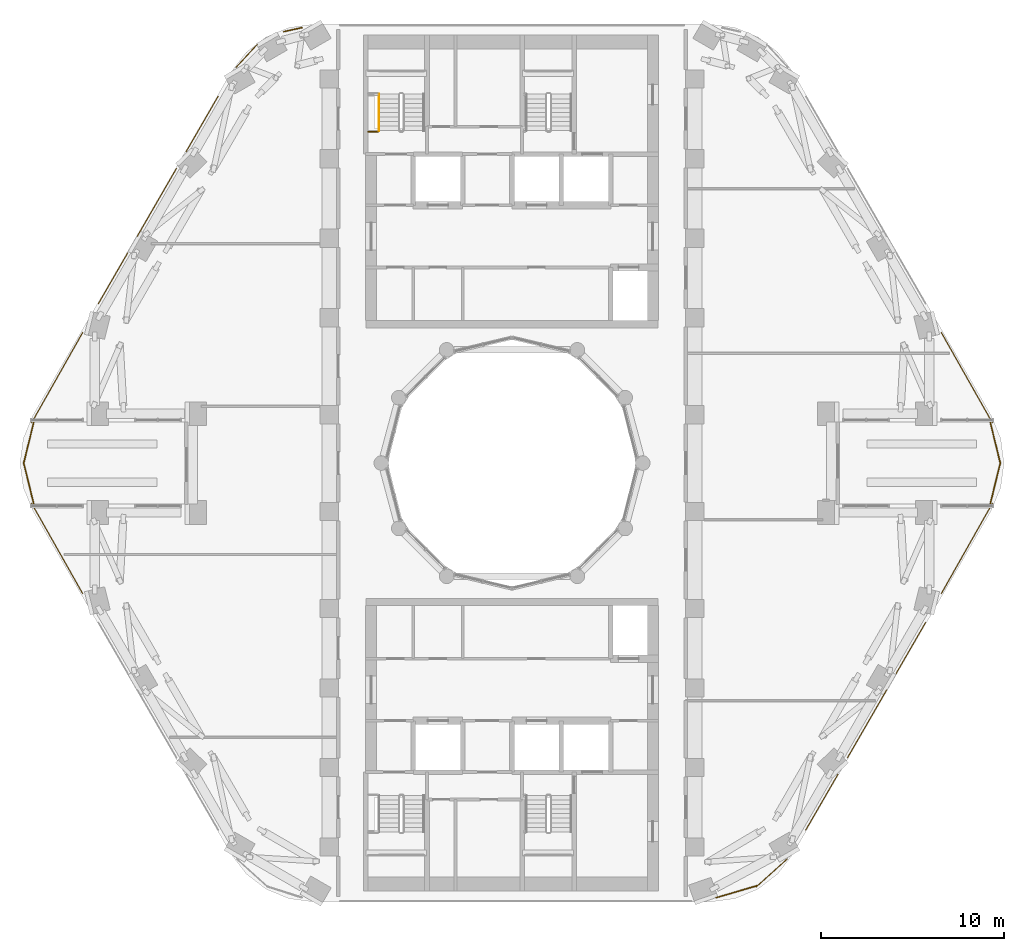
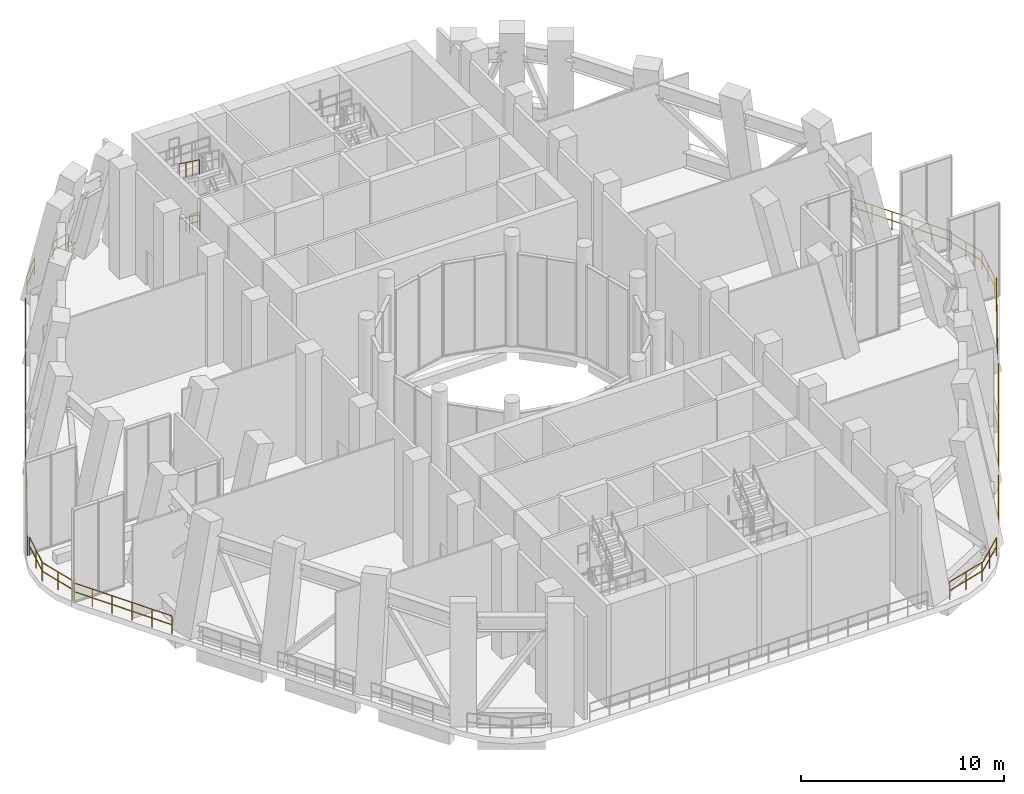
# One storey, part 17 of 19: 21 railings.
"""IFC4 building model written with IfcOpenShell, lengths in metres."""

from ifc_helpers import new_model, si_unit, direction, frame, origin, origin_2d, place, context, subcontext, project, spatial, circle, extrude, material, type_object, element, save


model = new_model("IFC4")

# Units and contexts
model_context = context("Model", 3, precision=1e-05, world=origin(), true_north=direction((0.0, 1.0)))
body_context = subcontext(model_context, "Body", "Model", "MODEL_VIEW")
ifc_project = project(units=[si_unit("LENGTHUNIT", "METRE"), si_unit("AREAUNIT", "SQUARE_METRE"), si_unit("VOLUMEUNIT", "CUBIC_METRE"), si_unit("PLANEANGLEUNIT", "RADIAN"), si_unit("MASSUNIT", "GRAM", prefix="KILO")], contexts=[model_context])

# Site, building, storey
site_placement = place(None, origin())
site = spatial("IfcSite", under=ifc_project, at=site_placement, CompositionType="ELEMENT")
building_placement = place(site_placement, origin())
building = spatial("IfcBuilding", under=site, at=building_placement, Name="Nakaniwa Court", CompositionType="ELEMENT")
storey_placement = place(building_placement, frame((0.0, 0.0, 170.10009765625)))
storey = spatial("IfcBuildingStorey", under=building, at=storey_placement, Name="S3", CompositionType="ELEMENT", Elevation=170.10009765625)

# Railings
ifc_material_1 = material(Name="Black powder-coated steel flat bar balustrade S275", Category="steel")
railing_type_1 = type_object("IfcRailingType", Name="Black metal terrace guard 1100", PredefinedType="GUARDRAIL", material=ifc_material_1)
railing_1_placement = place(storey_placement, frame((106.27294921875, 82.20263671875, 0.0)))
element("IfcRailing", 1, at=railing_1_placement, inside=storey, type_object=railing_type_1, Name="S3 refuge band guard 02", PredefinedType="GUARDRAIL", context=body_context, shape_type="SweptSolid", body=[
    extrude(circle(Radius=0.02392578125, at=origin_2d()), frame((0.0, 0.0, 1.076171875), z_axis=(-0.492416592441, 0.870359638017, 0.0), x_axis=(-0.870359638017, -0.492416592441, 0.0)), (0.0, 0.0, 1.0), 5.685791015625),
    extrude(circle(Radius=0.02392578125, at=origin_2d()), frame((0.0, 0.0, 0.550048828125), z_axis=(-0.492416592441, 0.870359638017, 0.0), x_axis=(-0.870359638017, -0.492416592441, 0.0)), (0.0, 0.0, 1.0), 5.685791015625),
    extrude(circle(Radius=0.02099609375, at=origin_2d()), origin(), (0.0, 0.0, 1.0), 1.052001953125),
    extrude(circle(Radius=0.02099609375, at=origin_2d()), frame((-0.56005859375, 0.98974609375, 0.0)), (0.0, 0.0, 1.0), 1.052001953125),
    extrude(circle(Radius=0.02099609375, at=origin_2d()), frame((-1.119873046875, 1.9794921875, 0.0)), (0.0, 0.0, 1.0), 1.052001953125),
    extrude(circle(Radius=0.02099609375, at=origin_2d()), frame((-1.679931640625, 2.96923828125, 0.0)), (0.0, 0.0, 1.0), 1.052001953125),
    extrude(circle(Radius=0.02099609375, at=origin_2d()), frame((-2.23974609375, 3.958984375, 0.0)), (0.0, 0.0, 1.0), 1.052001953125),
    extrude(circle(Radius=0.02099609375, at=origin_2d()), frame((-2.7998046875, 4.94873046875, 0.0)), (0.0, 0.0, 1.0), 1.052001953125),
])
railing_2_placement = place(storey_placement, frame((68.520263671875, 103.8173828125, 0.0)))
element("IfcRailing", 2, at=railing_2_placement, inside=storey, type_object=railing_type_1, Name="S3 refuge band guard 09", PredefinedType="GUARDRAIL", context=body_context, shape_type="SweptSolid", body=[
    extrude(circle(Radius=0.02392578125, at=origin_2d()), frame((0.0, 0.0, 1.076171875), z_axis=(-0.975995637707, -0.217790071345, 0.0), x_axis=(0.217790071345, -0.975995637707, 0.0)), (0.0, 0.0, 1.0), 1.0224609375),
    extrude(circle(Radius=0.02392578125, at=origin_2d()), frame((0.0, 0.0, 0.550048828125), z_axis=(-0.975995637707, -0.217790071345, 0.0), x_axis=(0.217790071345, -0.975995637707, 0.0)), (0.0, 0.0, 1.0), 1.0224609375),
    extrude(circle(Radius=0.02099609375, at=origin_2d()), origin(), (0.0, 0.0, 1.0), 1.052001953125),
    extrude(circle(Radius=0.02099609375, at=origin_2d()), frame((-0.997802734375, -0.22265625, 0.0)), (0.0, 0.0, 1.0), 1.052001953125),
])
railing_3_placement = place(storey_placement, frame((66.064697265625, 102.894287109375, 0.0)))
element("IfcRailing", 3, at=railing_3_placement, inside=storey, type_object=railing_type_1, Name="S3 refuge band guard 10", PredefinedType="GUARDRAIL", context=body_context, shape_type="SweptSolid", body=[
    extrude(circle(Radius=0.02392578125, at=origin_2d()), frame((0.0, 0.0, 1.076171875), z_axis=(-0.677624763893, -0.735407831995, 0.0), x_axis=(0.735407831995, -0.677624763893, 0.0)), (0.0, 0.0, 1.0), 1.70263671875),
    extrude(circle(Radius=0.02392578125, at=origin_2d()), frame((0.0, 0.0, 0.550048828125), z_axis=(-0.677624763893, -0.735407831995, 0.0), x_axis=(0.735407831995, -0.677624763893, 0.0)), (0.0, 0.0, 1.0), 1.70263671875),
    extrude(circle(Radius=0.02099609375, at=origin_2d()), origin(), (0.0, 0.0, 1.0), 1.052001953125),
    extrude(circle(Radius=0.02099609375, at=origin_2d()), frame((-0.576904296875, -0.6259765625, 0.0)), (0.0, 0.0, 1.0), 1.052001953125),
    extrude(circle(Radius=0.02099609375, at=origin_2d()), frame((-1.15380859375, -1.252197265625, 0.0)), (0.0, 0.0, 1.0), 1.052001953125),
])
railing_4_placement = place(storey_placement, frame((63.930419921875, 100.066650390625, 0.0)))
element("IfcRailing", 4, at=railing_4_placement, inside=storey, type_object=railing_type_1, Name="S3 refuge band guard 11", PredefinedType="GUARDRAIL", context=body_context, shape_type="SweptSolid", body=[
    extrude(circle(Radius=0.02392578125, at=origin_2d()), frame((0.0, 0.0, 1.076171875), z_axis=(-0.499988652884, -0.866031954946, 0.0), x_axis=(0.866031954946, -0.499988652884, 0.0)), (0.0, 0.0, 1.0), 3.51953125),
    extrude(circle(Radius=0.02392578125, at=origin_2d()), frame((0.0, 0.0, 0.550048828125), z_axis=(-0.499988652884, -0.866031954946, 0.0), x_axis=(0.866031954946, -0.499988652884, 0.0)), (0.0, 0.0, 1.0), 3.51953125),
    extrude(circle(Radius=0.02099609375, at=origin_2d()), origin(), (0.0, 0.0, 1.0), 1.052001953125),
    extrude(circle(Radius=0.02099609375, at=origin_2d()), frame((-0.586669921875, -1.01611328125, 0.0)), (0.0, 0.0, 1.0), 1.052001953125),
    extrude(circle(Radius=0.02099609375, at=origin_2d()), frame((-1.173095703125, -2.031982421875, 0.0)), (0.0, 0.0, 1.0), 1.052001953125),
    extrude(circle(Radius=0.02099609375, at=origin_2d()), frame((-1.759765625, -3.048095703125, 0.0)), (0.0, 0.0, 1.0), 1.052001953125),
])
railing_5_placement = place(storey_placement, frame((61.647216796875, 96.112060546875, 0.0)))
element("IfcRailing", 5, at=railing_5_placement, inside=storey, type_object=railing_type_1, Name="S3 refuge band guard 12", PredefinedType="GUARDRAIL", context=body_context, shape_type="SweptSolid", body=[
    extrude(circle(Radius=0.02392578125, at=origin_2d()), frame((0.0, 0.0, 1.076171875), z_axis=(-0.500004369671, -0.866022880939, 0.0), x_axis=(0.866022880939, -0.500004369671, 0.0)), (0.0, 0.0, 1.0), 4.27294921875),
    extrude(circle(Radius=0.02392578125, at=origin_2d()), frame((0.0, 0.0, 0.550048828125), z_axis=(-0.500004369671, -0.866022880939, 0.0), x_axis=(0.866022880939, -0.500004369671, 0.0)), (0.0, 0.0, 1.0), 4.27294921875),
    extrude(circle(Radius=0.02099609375, at=origin_2d()), origin(), (0.0, 0.0, 1.0), 1.052001953125),
    extrude(circle(Radius=0.02099609375, at=origin_2d()), frame((-0.5341796875, -0.925048828125, 0.0)), (0.0, 0.0, 1.0), 1.052001953125),
    extrude(circle(Radius=0.02099609375, at=origin_2d()), frame((-1.068359375, -1.85009765625, 0.0)), (0.0, 0.0, 1.0), 1.052001953125),
    extrude(circle(Radius=0.02099609375, at=origin_2d()), frame((-1.602294921875, -2.775390625, 0.0)), (0.0, 0.0, 1.0), 1.052001953125),
    extrude(circle(Radius=0.02099609375, at=origin_2d()), frame((-2.136474609375, -3.700439453125, 0.0)), (0.0, 0.0, 1.0), 1.052001953125),
])
railing_6_placement = place(storey_placement, frame((58.989990234375, 91.50927734375, 0.0)))
element("IfcRailing", 6, at=railing_6_placement, inside=storey, type_object=railing_type_1, Name="S3 refuge band guard 13", PredefinedType="GUARDRAIL", context=body_context, shape_type="SweptSolid", body=[
    extrude(circle(Radius=0.02392578125, at=origin_2d()), frame((0.0, 0.0, 1.076171875), z_axis=(-0.500061562926, -0.865989857495, 0.0), x_axis=(0.865989857495, -0.500061562926, 0.0)), (0.0, 0.0, 1.0), 3.2197265625),
    extrude(circle(Radius=0.02392578125, at=origin_2d()), frame((0.0, 0.0, 0.550048828125), z_axis=(-0.500061562926, -0.865989857495, 0.0), x_axis=(0.865989857495, -0.500061562926, 0.0)), (0.0, 0.0, 1.0), 3.2197265625),
    extrude(circle(Radius=0.02099609375, at=origin_2d()), origin(), (0.0, 0.0, 1.0), 1.052001953125),
    extrude(circle(Radius=0.02099609375, at=origin_2d()), frame((-0.53662109375, -0.929443359375, 0.0)), (0.0, 0.0, 1.0), 1.052001953125),
    extrude(circle(Radius=0.02099609375, at=origin_2d()), frame((-1.073486328125, -1.85888671875, 0.0)), (0.0, 0.0, 1.0), 1.052001953125),
    extrude(circle(Radius=0.02099609375, at=origin_2d()), frame((-1.610107421875, -2.788330078125, 0.0)), (0.0, 0.0, 1.0), 1.052001953125),
])
railing_7_placement = place(storey_placement, frame((56.52685546875, 87.1513671875, 0.0)))
element("IfcRailing", 7, at=railing_7_placement, inside=storey, type_object=railing_type_1, Name="S3 refuge band guard 14", PredefinedType="GUARDRAIL", context=body_context, shape_type="SweptSolid", body=[
    extrude(circle(Radius=0.02392578125, at=origin_2d()), frame((0.0, 0.0, 1.076171875), z_axis=(-0.492416592441, -0.870359638017, 0.0), x_axis=(0.870359638017, -0.492416592441, 0.0)), (0.0, 0.0, 1.0), 5.685791015625),
    extrude(circle(Radius=0.02392578125, at=origin_2d()), frame((0.0, 0.0, 0.550048828125), z_axis=(-0.492416592441, -0.870359638017, 0.0), x_axis=(0.870359638017, -0.492416592441, 0.0)), (0.0, 0.0, 1.0), 5.685791015625),
    extrude(circle(Radius=0.02099609375, at=origin_2d()), origin(), (0.0, 0.0, 1.0), 1.052001953125),
    extrude(circle(Radius=0.02099609375, at=origin_2d()), frame((-0.56005859375, -0.98974609375, 0.0)), (0.0, 0.0, 1.0), 1.052001953125),
    extrude(circle(Radius=0.02099609375, at=origin_2d()), frame((-1.119873046875, -1.9794921875, 0.0)), (0.0, 0.0, 1.0), 1.052001953125),
    extrude(circle(Radius=0.02099609375, at=origin_2d()), frame((-1.679931640625, -2.96923828125, 0.0)), (0.0, 0.0, 1.0), 1.052001953125),
    extrude(circle(Radius=0.02099609375, at=origin_2d()), frame((-2.23974609375, -3.958984375, 0.0)), (0.0, 0.0, 1.0), 1.052001953125),
    extrude(circle(Radius=0.02099609375, at=origin_2d()), frame((-2.7998046875, -4.94873046875, 0.0)), (0.0, 0.0, 1.0), 1.052001953125),
])
railing_8_placement = place(storey_placement, frame((53.72705078125, 77.79736328125, 0.0)))
element("IfcRailing", 8, at=railing_8_placement, inside=storey, type_object=railing_type_1, Name="S3 refuge band guard 20", PredefinedType="GUARDRAIL", context=body_context, shape_type="SweptSolid", body=[
    extrude(circle(Radius=0.02392578125, at=origin_2d()), frame((0.0, 0.0, 1.076171875), z_axis=(0.492416592441, -0.870359638017, 0.0), x_axis=(0.870359638017, 0.492416592441, 0.0)), (0.0, 0.0, 1.0), 5.685791015625),
    extrude(circle(Radius=0.02392578125, at=origin_2d()), frame((0.0, 0.0, 0.550048828125), z_axis=(0.492416592441, -0.870359638017, 0.0), x_axis=(0.870359638017, 0.492416592441, 0.0)), (0.0, 0.0, 1.0), 5.685791015625),
    extrude(circle(Radius=0.02099609375, at=origin_2d()), origin(), (0.0, 0.0, 1.0), 1.052001953125),
    extrude(circle(Radius=0.02099609375, at=origin_2d()), frame((0.56005859375, -0.98974609375, 0.0)), (0.0, 0.0, 1.0), 1.052001953125),
    extrude(circle(Radius=0.02099609375, at=origin_2d()), frame((1.119873046875, -1.9794921875, 0.0)), (0.0, 0.0, 1.0), 1.052001953125),
    extrude(circle(Radius=0.02099609375, at=origin_2d()), frame((1.679931640625, -2.96923828125, 0.0)), (0.0, 0.0, 1.0), 1.052001953125),
    extrude(circle(Radius=0.02099609375, at=origin_2d()), frame((2.23974609375, -3.958984375, 0.0)), (0.0, 0.0, 1.0), 1.052001953125),
    extrude(circle(Radius=0.02099609375, at=origin_2d()), frame((2.7998046875, -4.94873046875, 0.0)), (0.0, 0.0, 1.0), 1.052001953125),
])
railing_9_placement = place(storey_placement, frame((91.17431640625, 56.231201171875, 0.0)))
element("IfcRailing", 9, at=railing_9_placement, inside=storey, type_object=railing_type_1, Name="S3 refuge band guard 27", PredefinedType="GUARDRAIL", context=body_context, shape_type="SweptSolid", body=[
    extrude(circle(Radius=0.02392578125, at=origin_2d()), frame((0.0, 0.0, 1.076171875), z_axis=(0.95954470995, 0.281556299178, 0.0), x_axis=(-0.281556299178, 0.95954470995, 0.0)), (0.0, 0.0, 1.0), 2.318603515625),
    extrude(circle(Radius=0.02392578125, at=origin_2d()), frame((0.0, 0.0, 0.550048828125), z_axis=(0.95954470995, 0.281556299178, 0.0), x_axis=(-0.281556299178, 0.95954470995, 0.0)), (0.0, 0.0, 1.0), 2.318603515625),
    extrude(circle(Radius=0.02099609375, at=origin_2d()), origin(), (0.0, 0.0, 1.0), 1.052001953125),
    extrude(circle(Radius=0.02099609375, at=origin_2d()), frame((1.1123046875, 0.326416015625, 0.0)), (0.0, 0.0, 1.0), 1.052001953125),
    extrude(circle(Radius=0.02099609375, at=origin_2d()), frame((2.224853515625, 0.65283203125, 0.0)), (0.0, 0.0, 1.0), 1.052001953125),
])
railing_10_placement = place(storey_placement, frame((93.349365234375, 56.81298828125, 0.0)))
element("IfcRailing", 10, at=railing_10_placement, inside=storey, type_object=railing_type_1, Name="S3 refuge band guard 28", PredefinedType="GUARDRAIL", context=body_context, shape_type="SweptSolid", body=[
    extrude(circle(Radius=0.02392578125, at=origin_2d()), frame((0.0, 0.0, 1.076171875), z_axis=(0.743103979406, 0.669175967733, 0.0), x_axis=(-0.669175967733, 0.743103979406, 0.0)), (0.0, 0.0, 1.0), 2.298583984375),
    extrude(circle(Radius=0.02392578125, at=origin_2d()), frame((0.0, 0.0, 0.550048828125), z_axis=(0.743103979406, 0.669175967733, 0.0), x_axis=(-0.669175967733, 0.743103979406, 0.0)), (0.0, 0.0, 1.0), 2.298583984375),
    extrude(circle(Radius=0.02099609375, at=origin_2d()), origin(), (0.0, 0.0, 1.0), 1.052001953125),
    extrude(circle(Radius=0.02099609375, at=origin_2d()), frame((0.85400390625, 0.76904296875, 0.0)), (0.0, 0.0, 1.0), 1.052001953125),
    extrude(circle(Radius=0.02099609375, at=origin_2d()), frame((1.7080078125, 1.5380859375, 0.0)), (0.0, 0.0, 1.0), 1.052001953125),
])
railing_11_placement = place(storey_placement, frame((96.069580078125, 59.933349609375, 0.0)))
element("IfcRailing", 11, at=railing_11_placement, inside=storey, type_object=railing_type_1, Name="S3 refuge band guard 29", PredefinedType="GUARDRAIL", context=body_context, shape_type="SweptSolid", body=[
    extrude(circle(Radius=0.02392578125, at=origin_2d()), frame((0.0, 0.0, 1.076171875), z_axis=(0.499988652884, 0.866031954946, 0.0), x_axis=(-0.866031954946, 0.499988652884, 0.0)), (0.0, 0.0, 1.0), 3.51953125),
    extrude(circle(Radius=0.02392578125, at=origin_2d()), frame((0.0, 0.0, 0.550048828125), z_axis=(0.499988652884, 0.866031954946, 0.0), x_axis=(-0.866031954946, 0.499988652884, 0.0)), (0.0, 0.0, 1.0), 3.51953125),
    extrude(circle(Radius=0.02099609375, at=origin_2d()), origin(), (0.0, 0.0, 1.0), 1.052001953125),
    extrude(circle(Radius=0.02099609375, at=origin_2d()), frame((0.586669921875, 1.01611328125, 0.0)), (0.0, 0.0, 1.0), 1.052001953125),
    extrude(circle(Radius=0.02099609375, at=origin_2d()), frame((1.173095703125, 2.031982421875, 0.0)), (0.0, 0.0, 1.0), 1.052001953125),
    extrude(circle(Radius=0.02099609375, at=origin_2d()), frame((1.759765625, 3.048095703125, 0.0)), (0.0, 0.0, 1.0), 1.052001953125),
])
railing_12_placement = place(storey_placement, frame((98.352783203125, 63.887939453125, 0.0)))
element("IfcRailing", 12, at=railing_12_placement, inside=storey, type_object=railing_type_1, Name="S3 refuge band guard 30", PredefinedType="GUARDRAIL", context=body_context, shape_type="SweptSolid", body=[
    extrude(circle(Radius=0.02392578125, at=origin_2d()), frame((0.0, 0.0, 1.076171875), z_axis=(0.500004369671, 0.866022880939, 0.0), x_axis=(-0.866022880939, 0.500004369671, 0.0)), (0.0, 0.0, 1.0), 4.27294921875),
    extrude(circle(Radius=0.02392578125, at=origin_2d()), frame((0.0, 0.0, 0.550048828125), z_axis=(0.500004369671, 0.866022880939, 0.0), x_axis=(-0.866022880939, 0.500004369671, 0.0)), (0.0, 0.0, 1.0), 4.27294921875),
    extrude(circle(Radius=0.02099609375, at=origin_2d()), origin(), (0.0, 0.0, 1.0), 1.052001953125),
    extrude(circle(Radius=0.02099609375, at=origin_2d()), frame((0.5341796875, 0.925048828125, 0.0)), (0.0, 0.0, 1.0), 1.052001953125),
    extrude(circle(Radius=0.02099609375, at=origin_2d()), frame((1.068359375, 1.85009765625, 0.0)), (0.0, 0.0, 1.0), 1.052001953125),
    extrude(circle(Radius=0.02099609375, at=origin_2d()), frame((1.602294921875, 2.775390625, 0.0)), (0.0, 0.0, 1.0), 1.052001953125),
    extrude(circle(Radius=0.02099609375, at=origin_2d()), frame((2.136474609375, 3.700439453125, 0.0)), (0.0, 0.0, 1.0), 1.052001953125),
])
railing_13_placement = place(storey_placement, frame((101.010009765625, 68.49072265625, 0.0)))
element("IfcRailing", 13, at=railing_13_placement, inside=storey, type_object=railing_type_1, Name="S3 refuge band guard 31", PredefinedType="GUARDRAIL", context=body_context, shape_type="SweptSolid", body=[
    extrude(circle(Radius=0.02392578125, at=origin_2d()), frame((0.0, 0.0, 1.076171875), z_axis=(0.500061562926, 0.865989857495, 0.0), x_axis=(-0.865989857495, 0.500061562926, 0.0)), (0.0, 0.0, 1.0), 3.2197265625),
    extrude(circle(Radius=0.02392578125, at=origin_2d()), frame((0.0, 0.0, 0.550048828125), z_axis=(0.500061562926, 0.865989857495, 0.0), x_axis=(-0.865989857495, 0.500061562926, 0.0)), (0.0, 0.0, 1.0), 3.2197265625),
    extrude(circle(Radius=0.02099609375, at=origin_2d()), origin(), (0.0, 0.0, 1.0), 1.052001953125),
    extrude(circle(Radius=0.02099609375, at=origin_2d()), frame((0.53662109375, 0.929443359375, 0.0)), (0.0, 0.0, 1.0), 1.052001953125),
    extrude(circle(Radius=0.02099609375, at=origin_2d()), frame((1.073486328125, 1.85888671875, 0.0)), (0.0, 0.0, 1.0), 1.052001953125),
    extrude(circle(Radius=0.02099609375, at=origin_2d()), frame((1.610107421875, 2.788330078125, 0.0)), (0.0, 0.0, 1.0), 1.052001953125),
])
railing_14_placement = place(storey_placement, frame((103.47314453125, 72.8486328125, 0.0)))
element("IfcRailing", 14, at=railing_14_placement, inside=storey, type_object=railing_type_1, Name="S3 refuge band guard 32", PredefinedType="GUARDRAIL", context=body_context, shape_type="SweptSolid", body=[
    extrude(circle(Radius=0.02392578125, at=origin_2d()), frame((0.0, 0.0, 1.076171875), z_axis=(0.492416592441, 0.870359638017, 0.0), x_axis=(-0.870359638017, 0.492416592441, 0.0)), (0.0, 0.0, 1.0), 5.685791015625),
    extrude(circle(Radius=0.02392578125, at=origin_2d()), frame((0.0, 0.0, 0.550048828125), z_axis=(0.492416592441, 0.870359638017, 0.0), x_axis=(-0.870359638017, 0.492416592441, 0.0)), (0.0, 0.0, 1.0), 5.685791015625),
    extrude(circle(Radius=0.02099609375, at=origin_2d()), origin(), (0.0, 0.0, 1.0), 1.052001953125),
    extrude(circle(Radius=0.02099609375, at=origin_2d()), frame((0.56005859375, 0.98974609375, 0.0)), (0.0, 0.0, 1.0), 1.052001953125),
    extrude(circle(Radius=0.02099609375, at=origin_2d()), frame((1.119873046875, 1.9794921875, 0.0)), (0.0, 0.0, 1.0), 1.052001953125),
    extrude(circle(Radius=0.02099609375, at=origin_2d()), frame((1.679931640625, 2.96923828125, 0.0)), (0.0, 0.0, 1.0), 1.052001953125),
    extrude(circle(Radius=0.02099609375, at=origin_2d()), frame((2.23974609375, 3.958984375, 0.0)), (0.0, 0.0, 1.0), 1.052001953125),
    extrude(circle(Radius=0.02099609375, at=origin_2d()), frame((2.7998046875, 4.94873046875, 0.0)), (0.0, 0.0, 1.0), 1.052001953125),
])
railing_15_placement = place(storey_placement, frame((53.8359375, 82.20263671875, 0.0)))
element("IfcRailing", 15, at=railing_15_placement, inside=storey, type_object=railing_type_1, Name="S3 sky garden terrace 1 guard 1", PredefinedType="GUARDRAIL", context=body_context, shape_type="SweptSolid", body=[
    extrude(circle(Radius=0.02392578125, at=origin_2d()), frame((0.0, 0.0, 1.076171875), z_axis=(-0.238169012128, -0.971223723795, 0.0), x_axis=(0.971223723795, -0.238169012128, 0.0)), (0.0, 0.0, 1.0), 2.316650390625),
    extrude(circle(Radius=0.02392578125, at=origin_2d()), frame((0.0, 0.0, 0.550048828125), z_axis=(-0.238169012128, -0.971223723795, 0.0), x_axis=(0.971223723795, -0.238169012128, 0.0)), (0.0, 0.0, 1.0), 2.316650390625),
    extrude(circle(Radius=0.02099609375, at=origin_2d()), origin(), (0.0, 0.0, 1.0), 1.052001953125),
    extrude(circle(Radius=0.02099609375, at=origin_2d()), frame((-0.27587890625, -1.125, 0.0)), (0.0, 0.0, 1.0), 1.052001953125),
    extrude(circle(Radius=0.02099609375, at=origin_2d()), frame((-0.5517578125, -2.25, 0.0)), (0.0, 0.0, 1.0), 1.052001953125),
])
railing_16_placement = place(storey_placement, frame((53.2841796875, 80.04736328125, 0.0)))
element("IfcRailing", 16, at=railing_16_placement, inside=storey, type_object=railing_type_1, Name="S3 sky garden terrace 1 guard 2", PredefinedType="GUARDRAIL", context=body_context, shape_type="SweptSolid", body=[
    extrude(circle(Radius=0.02392578125, at=origin_2d()), frame((0.0, 0.0, 1.076171875), z_axis=(0.238169012128, -0.971223723795, 0.0), x_axis=(0.971223723795, 0.238169012128, 0.0)), (0.0, 0.0, 1.0), 2.316650390625),
    extrude(circle(Radius=0.02392578125, at=origin_2d()), frame((0.0, 0.0, 0.550048828125), z_axis=(0.238169012128, -0.971223723795, 0.0), x_axis=(0.971223723795, 0.238169012128, 0.0)), (0.0, 0.0, 1.0), 2.316650390625),
    extrude(circle(Radius=0.02099609375, at=origin_2d()), origin(), (0.0, 0.0, 1.0), 1.052001953125),
    extrude(circle(Radius=0.02099609375, at=origin_2d()), frame((0.27587890625, -1.125, 0.0)), (0.0, 0.0, 1.0), 1.052001953125),
    extrude(circle(Radius=0.02099609375, at=origin_2d()), frame((0.5517578125, -2.25, 0.0)), (0.0, 0.0, 1.0), 1.052001953125),
])
railing_17_placement = place(storey_placement, frame((106.1640625, 77.79736328125, 0.0)))
element("IfcRailing", 17, at=railing_17_placement, inside=storey, type_object=railing_type_1, Name="S3 sky garden terrace 2 guard 1", PredefinedType="GUARDRAIL", context=body_context, shape_type="SweptSolid", body=[
    extrude(circle(Radius=0.02392578125, at=origin_2d()), frame((0.0, 0.0, 1.076171875), z_axis=(0.238169012128, 0.971223723795, 0.0), x_axis=(-0.971223723795, 0.238169012128, 0.0)), (0.0, 0.0, 1.0), 2.316650390625),
    extrude(circle(Radius=0.02392578125, at=origin_2d()), frame((0.0, 0.0, 0.550048828125), z_axis=(0.238169012128, 0.971223723795, 0.0), x_axis=(-0.971223723795, 0.238169012128, 0.0)), (0.0, 0.0, 1.0), 2.316650390625),
    extrude(circle(Radius=0.02099609375, at=origin_2d()), origin(), (0.0, 0.0, 1.0), 1.052001953125),
    extrude(circle(Radius=0.02099609375, at=origin_2d()), frame((0.27587890625, 1.125, 0.0)), (0.0, 0.0, 1.0), 1.052001953125),
    extrude(circle(Radius=0.02099609375, at=origin_2d()), frame((0.5517578125, 2.25, 0.0)), (0.0, 0.0, 1.0), 1.052001953125),
])
railing_18_placement = place(storey_placement, frame((106.7158203125, 79.95263671875, 0.0)))
element("IfcRailing", 18, at=railing_18_placement, inside=storey, type_object=railing_type_1, Name="S3 sky garden terrace 2 guard 2", PredefinedType="GUARDRAIL", context=body_context, shape_type="SweptSolid", body=[
    extrude(circle(Radius=0.02392578125, at=origin_2d()), frame((0.0, 0.0, 1.076171875), z_axis=(-0.238169012128, 0.971223723795, 0.0), x_axis=(-0.971223723795, -0.238169012128, 0.0)), (0.0, 0.0, 1.0), 2.316650390625),
    extrude(circle(Radius=0.02392578125, at=origin_2d()), frame((0.0, 0.0, 0.550048828125), z_axis=(-0.238169012128, 0.971223723795, 0.0), x_axis=(-0.971223723795, -0.238169012128, 0.0)), (0.0, 0.0, 1.0), 2.316650390625),
    extrude(circle(Radius=0.02099609375, at=origin_2d()), origin(), (0.0, 0.0, 1.0), 1.052001953125),
    extrude(circle(Radius=0.02099609375, at=origin_2d()), frame((-0.27587890625, 1.125, 0.0)), (0.0, 0.0, 1.0), 1.052001953125),
    extrude(circle(Radius=0.02099609375, at=origin_2d()), frame((-0.5517578125, 2.25, 0.0)), (0.0, 0.0, 1.0), 1.052001953125),
])
ifc_material_2 = material(Name="Black powder coated steel guard", Category="steel")
railing_type_2 = type_object("IfcRailingType", Name="Stair guard 1100", PredefinedType="GUARDRAIL", material=ifc_material_2)
railing_19_placement = place(storey_placement, frame((72.125, 98.125, 3.2998046875)))
element("IfcRailing", 19, at=railing_19_placement, inside=storey, type_object=railing_type_2, Name="S3 ST1 landing side guard 2W", PredefinedType="GUARDRAIL", context=body_context, shape_type="SweptSolid", body=[
    extrude(circle(Radius=0.02392578125, at=origin_2d()), frame((0.0, 0.0, 1.076171875), z_axis=(1.0, 0.0, 0.0), x_axis=(0.0, 1.0, 0.0)), (0.0, 0.0, 1.0), 0.550048828125),
    extrude(circle(Radius=0.02392578125, at=origin_2d()), frame((0.0, 0.0, 0.550048828125), z_axis=(1.0, 0.0, 0.0), x_axis=(0.0, 1.0, 0.0)), (0.0, 0.0, 1.0), 0.550048828125),
    extrude(circle(Radius=0.02099609375, at=origin_2d()), origin(), (0.0, 0.0, 1.0), 1.052001953125),
    extrude(circle(Radius=0.02099609375, at=origin_2d()), frame((0.550048828125, 0.0, 0.0)), (0.0, 0.0, 1.0), 1.052001953125),
])
ifc_material_3 = material(Name="Black powder coated steel handrail", Category="steel")
railing_type_3 = type_object("IfcRailingType", Name="Stair handrail 900", PredefinedType="HANDRAIL", material=ifc_material_3)
for number, where, name in (
    (20, (72.72509765625, 100.175048828125, 1.833251953125), "S3 ST1 stair handrail 2"),
    (21, (72.72509765625, 100.175048828125, 5.13330078125), "S3 ST1 stair handrail 4"),
):
    element("IfcRailing", number, at=place(storey_placement, frame(where)), inside=storey, type_object=railing_type_3, Name=name, PredefinedType="HANDRAIL", context=body_context, shape_type="SweptSolid", body=[
        extrude(circle(Radius=0.02392578125, at=origin_2d()), frame((0.0, 0.0, 0.8759765625), z_axis=(0.0, -0.806426902644, 0.591333789573), x_axis=(1.0, 0.0, 0.0)), (0.0, 0.0, 1.0), 2.47998046875),
        extrude(circle(Radius=0.02099609375, at=origin_2d()), origin(), (0.0, 0.0, 1.0), 0.851806640625),
        extrude(circle(Radius=0.02099609375, at=origin_2d()), frame((0.0, -0.666748046875, 0.48876953125)), (0.0, 0.0, 1.0), 0.851806640625),
        extrude(circle(Radius=0.02099609375, at=origin_2d()), frame((0.0, -1.333251953125, 0.977783203125)), (0.0, 0.0, 1.0), 0.851806640625),
        extrude(circle(Radius=0.02099609375, at=origin_2d()), frame((0.0, -2.0, 1.466552734375)), (0.0, 0.0, 1.0), 0.851806640625),
    ])

save(model, "model.ifc")
